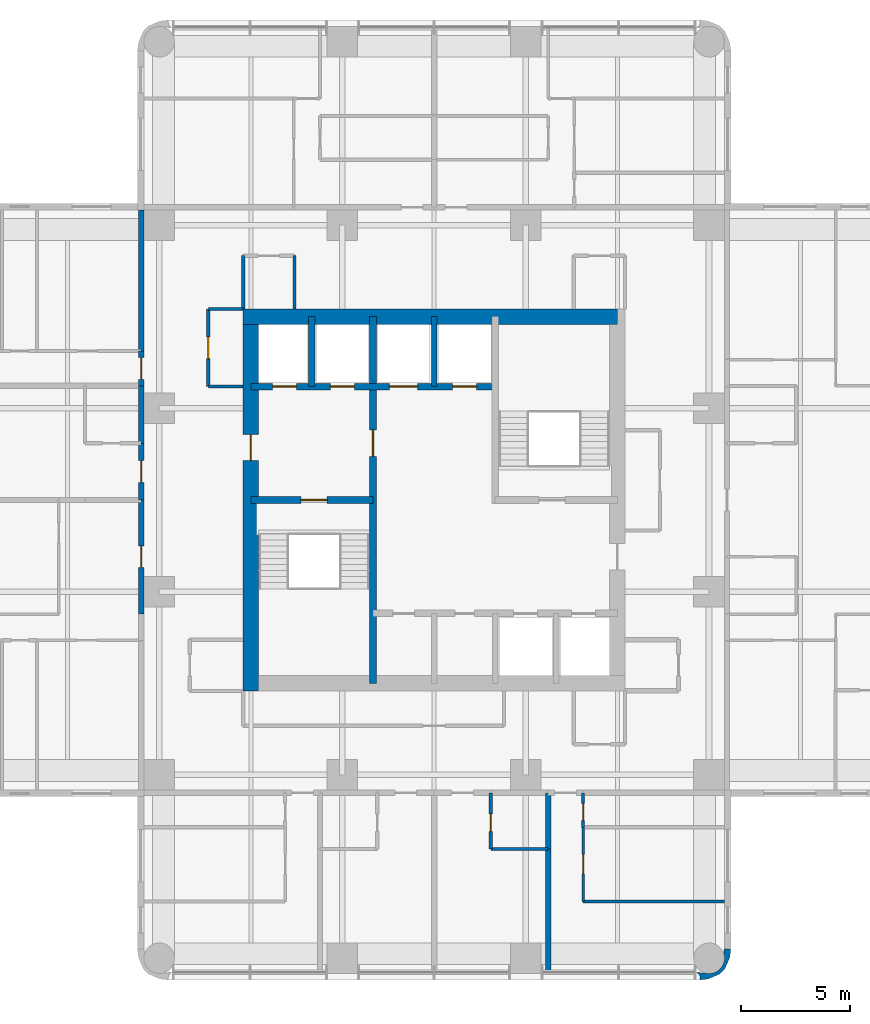
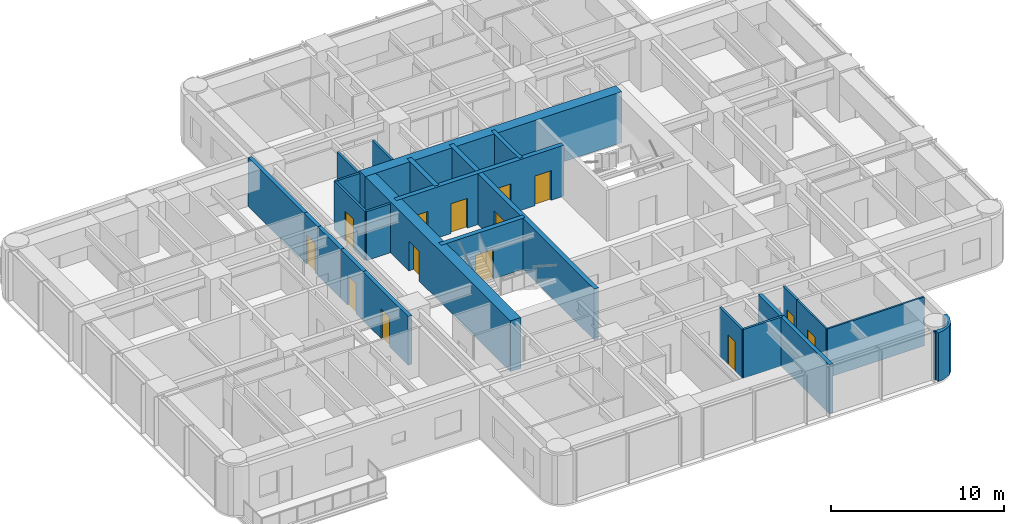
# One storey, part 6 of 11: 25 walls, 14 doors, 14 openings.
"""IFC4 building model written with IfcOpenShell, lengths in metres."""

import ifcopenshell
import ifcopenshell.guid

model = None  # the IFC model being written
_history = None  # IfcOwnerHistory: only IFC2X3 demands one
_inside = {}  # id of a spatial element -> (the spatial element, [elements in it])
_under = {}  # id of a project, library or spatial element -> (it, [spatial elements below it])
_declared = {}  # id of a project -> (the project, [libraries it declares])
_typed = {}  # id of a type object -> (the type object, [elements of that type])
_made_of = {}  # id of a material, layer set ... -> (it, [elements and type objects made of it])


def new_model(schema):
    """Start an empty IFC model of exactly this schema.

    Asked for "IFC4X3", IfcOpenShell would pick the latest addendum, in which some entities
    have other attributes; the version numbers below select the first issue.
    IFC2X3 requires an IfcOwnerHistory on every rooted entity: one is made here for all.
    """
    global model, _history
    if schema == "IFC4X3":
        model = ifcopenshell.file(schema_version=(4, 3, 0, 0))
    else:
        model = ifcopenshell.file(schema=schema)
    _inside.clear()
    _under.clear()
    _declared.clear()
    _typed.clear()
    _made_of.clear()
    _history = None
    if model.schema == "IFC2X3":
        org = make("IfcOrganization", Name="unknown")
        user = make(
            "IfcPersonAndOrganization",
            ThePerson=make("IfcPerson", FamilyName="unknown"),
            TheOrganization=org,
        )
        app = make(
            "IfcApplication",
            ApplicationDeveloper=org,
            Version="unknown",
            ApplicationFullName="unknown",
            ApplicationIdentifier="unknown",
        )
        _history = make(
            "IfcOwnerHistory",
            OwningUser=user,
            OwningApplication=app,
            ChangeAction="ADDED",
            CreationDate=0,
        )
    return model


def make(cls, **values):
    """One entity of the class cls with the attributes given. An attribute that is None is left unset."""
    return model.create_entity(
        cls, **{name: value for name, value in values.items() if value is not None}
    )


def rooted(cls, **values):
    """An entity with a GlobalId (a new one), such as an element, a storey or a relation."""
    return make(cls, GlobalId=ifcopenshell.guid.new(), OwnerHistory=_history, **values)


def si_unit(unit_type, name, prefix=None):
    """IfcSIUnit, for example si_unit("LENGTHUNIT", "METRE", prefix="MILLI")."""
    return make("IfcSIUnit", UnitType=unit_type, Prefix=prefix, Name=name)


def assignment(units):
    """IfcUnitAssignment: the units of a project."""
    return None if units is None else make("IfcUnitAssignment", Units=units)


def point(xyz):
    """IfcCartesianPoint."""
    return None if xyz is None else make("IfcCartesianPoint", Coordinates=xyz)


def direction(xyz):
    """IfcDirection."""
    return None if xyz is None else make("IfcDirection", DirectionRatios=xyz)


def frame(location, z_axis=None, x_axis=None):
    """IfcAxis2Placement3D, a coordinate frame: its origin and axes. An axis left out is left unset."""
    return make(
        "IfcAxis2Placement3D",
        Location=point(location),
        Axis=direction(z_axis),
        RefDirection=direction(x_axis),
    )


def frame_2d(location, x_axis=None):
    """IfcAxis2Placement2D, a coordinate frame in the plane: its origin and x axis."""
    return make(
        "IfcAxis2Placement2D", Location=point(location), RefDirection=direction(x_axis)
    )


def origin():
    """The frame at (0, 0, 0) with its axes left unset."""
    return frame((0.0, 0.0, 0.0))


def place(relative_to, where):
    """IfcLocalPlacement: puts the frame where relative to a parent placement (None: the world)."""
    return make(
        "IfcLocalPlacement", PlacementRelTo=relative_to, RelativePlacement=where
    )


def context(
    kind, dimensions, precision=None, world=None, true_north=None, identifier=None
):
    """IfcGeometricRepresentationContext, for example the 3D "Model" context."""
    return make(
        "IfcGeometricRepresentationContext",
        ContextIdentifier=identifier,
        ContextType=kind,
        CoordinateSpaceDimension=dimensions,
        Precision=precision,
        WorldCoordinateSystem=world,
        TrueNorth=true_north,
    )


def subcontext(parent, identifier, kind, view, scale=None):
    """IfcGeometricRepresentationSubContext, for example "Body" below "Model"."""
    return make(
        "IfcGeometricRepresentationSubContext",
        ContextIdentifier=identifier,
        ContextType=kind,
        ParentContext=parent,
        TargetScale=scale,
        TargetView=view,
    )


def project(units=None, contexts=None):
    """IfcProject with its units and contexts."""
    return rooted(
        "IfcProject",
        Name="project",
        RepresentationContexts=contexts,
        UnitsInContext=assignment(units),
    )


def spatial(cls, under=None, at=None, **own):
    """A site, building, storey or space (cls), placed at a placement, below another one or the project."""
    s = rooted(cls, ObjectPlacement=at, **own)
    if under is not None:
        _under.setdefault(under.id(), (under, []))[1].append(s)
    return s


def polyline(points):
    """IfcPolyline through the points."""
    return make("IfcPolyline", Points=[point(p) for p in points])


def profile(cls, at=None, kind="AREA", **sizes):
    """A parametric profile (cls). Its sizes go by their IFC names, for example OverallWidth=200.0."""
    return make(cls, ProfileType=kind, Position=at, **sizes)


def rectangle(**sizes):
    """IfcRectangleProfileDef."""
    return profile("IfcRectangleProfileDef", **sizes)


def outline(outer, holes=None, kind="AREA"):
    """IfcArbitraryClosedProfileDef: a profile drawn as a closed curve; with holes, ...WithVoids."""
    if holes is None:
        return make("IfcArbitraryClosedProfileDef", ProfileType=kind, OuterCurve=outer)
    return make(
        "IfcArbitraryProfileDefWithVoids",
        ProfileType=kind,
        OuterCurve=outer,
        InnerCurves=holes,
    )


def extrude(swept, where, along, depth):
    """IfcExtrudedAreaSolid: the profile swept, set in the frame where, extruded along a direction by depth."""
    return make(
        "IfcExtrudedAreaSolid",
        SweptArea=swept,
        Position=where,
        ExtrudedDirection=direction(along),
        Depth=depth,
    )


def shape(context_of_items, identifier, shape_type, items):
    """IfcShapeRepresentation: the items that make up one representation, for example the "Body"."""
    return make(
        "IfcShapeRepresentation",
        ContextOfItems=context_of_items,
        RepresentationIdentifier=identifier,
        RepresentationType=shape_type,
        Items=items,
    )


def material(Name=None, Category=None):
    """IfcMaterial."""
    return make("IfcMaterial", Name=Name, Category=Category)


def layer(
    of_material, thickness, ventilated=None, Name=None, Category=None, Priority=None
):
    """IfcMaterialLayer: one layer of a wall or slab, of a material (None: an air gap)."""
    return make(
        "IfcMaterialLayer",
        Material=of_material,
        LayerThickness=thickness,
        IsVentilated=ventilated,
        Name=Name,
        Category=Category,
        Priority=Priority,
    )


def layer_set(layers, Name=None):
    """IfcMaterialLayerSet."""
    return make("IfcMaterialLayerSet", MaterialLayers=layers, LayerSetName=Name)


def made_of(thing, what):
    """Note that an element or type object is made of a material, layer set ...; save() writes the relation."""
    if what is not None:
        _made_of.setdefault(what.id(), (what, []))[1].append(thing)
    return thing


def type_object(cls, material=None, **own):
    """A type object (cls), such as IfcWallType, which elements share."""
    return made_of(rooted(cls, **own), material)


def element(
    cls,
    number,
    at=None,
    inside=None,
    cuts=None,
    type_object=None,
    material=None,
    context=None,
    identifier="Body",
    shape_type=None,
    held_by="IfcProductDefinitionShape",
    body=None,
    shapes=None,
    **own,
):
    """One element of the class cls, such as IfcWall. Its Tag is "e" and its number.

    at: its placement. inside: the storey or other place that contains it. cuts: it is an
    opening in that element (IfcRelVoidsElement). A single representation is given by context,
    identifier, shape_type and body (its items); several are given by shapes. held_by: the class
    of the entity that holds the representations. save() writes the other relations.
    """
    e = rooted(cls, Tag="e%d" % number, ObjectPlacement=at, **own)
    if body is not None:
        shapes = [shape(context, identifier, shape_type, body)]
    if shapes is not None:
        e.Representation = make(held_by, Representations=shapes)
    if inside is not None:
        _inside.setdefault(inside.id(), (inside, []))[1].append(e)
    if cuts is not None:
        rooted(
            "IfcRelVoidsElement", RelatingBuildingElement=cuts, RelatedOpeningElement=e
        )
    if type_object is not None:
        _typed.setdefault(type_object.id(), (type_object, []))[1].append(e)
    return made_of(e, material)


def fill(opening, filler):
    """IfcRelFillsElement: the door or window that sits in an opening."""
    return rooted(
        "IfcRelFillsElement",
        RelatingOpeningElement=opening,
        RelatedBuildingElement=filler,
    )


def aggregate(whole, parts):
    """IfcRelAggregates: a whole, such as a stair, and the parts it consists of."""
    return rooted("IfcRelAggregates", RelatingObject=whole, RelatedObjects=parts)


def save(model, path):
    """Write the relations noted so far, then the file.

    IfcRelAggregates (storeys below a building ...), IfcRelContainedInSpatialStructure (elements
    in a storey), IfcRelDefinesByType, IfcRelAssociatesMaterial and IfcRelDeclares: one each for
    every whole, place, type object, material and project.
    """
    for whole, parts in _under.values():
        aggregate(whole, parts)
    for where, things in _inside.values():
        rooted(
            "IfcRelContainedInSpatialStructure",
            RelatedElements=things,
            RelatingStructure=where,
        )
    for kind, things in _typed.values():
        rooted("IfcRelDefinesByType", RelatedObjects=things, RelatingType=kind)
    for what, things in _made_of.values():
        rooted("IfcRelAssociatesMaterial", RelatedObjects=things, RelatingMaterial=what)
    for by, libraries in _declared.values():
        rooted("IfcRelDeclares", RelatingContext=by, RelatedDefinitions=libraries)
    model.write(path)


model = new_model("IFC4")

# Units and contexts
model_context = context("Model", 3, precision=1e-05, world=origin(), true_north=direction((0.0, 1.0)))
body_context = subcontext(model_context, "Body", "Model", "MODEL_VIEW")
ifc_project = project(units=[si_unit("LENGTHUNIT", "METRE"), si_unit("AREAUNIT", "SQUARE_METRE"), si_unit("VOLUMEUNIT", "CUBIC_METRE"), si_unit("PLANEANGLEUNIT", "RADIAN"), si_unit("MASSUNIT", "GRAM", prefix="KILO")], contexts=[model_context])

# Site, building, storey
site_placement = place(None, origin())
site = spatial("IfcSite", under=ifc_project, at=site_placement, CompositionType="ELEMENT")
building_placement = place(site_placement, origin())
building = spatial("IfcBuilding", under=site, at=building_placement, Name="Torre Alcanfor", CompositionType="ELEMENT")
storey_placement = place(building_placement, frame((0.0, 0.0, 237.300048828125)))
storey = spatial("IfcBuildingStorey", under=building, at=storey_placement, Name="L62", CompositionType="ELEMENT", Elevation=237.300048828125)

# Wall, opening, door
ifc_material_1 = material(Name="Concrete block masonry, hollow blocks NMX-C-404 9 MPa", Category="masonry")
ifc_layer_1 = layer(ifc_material_1, 0.25)
ifc_layer_set_1 = layer_set([ifc_layer_1], Name="Apartment entrance wall 250 EI 60")
wall_type_1 = type_object("IfcWallType", Name="Apartment entrance wall 250 EI 60", PredefinedType="PARTITIONING", material=ifc_layer_set_1)
wall_1_placement = place(storey_placement, frame((15.97509765625, 24.1708984375, 0.0), z_axis=(0.0, 0.0, 1.0), x_axis=(0.0, 1.0, 0.0)))
wall_1 = element("IfcWall", 1, at=wall_1_placement, inside=storey, type_object=wall_type_1, Name="Partition L62-CORR / L62-W1-ZAG", PredefinedType="PARTITIONING", context=body_context, shape_type="SweptSolid", body=[
    extrude(rectangle(XDim=5.22900390625, YDim=0.25, at=frame_2d((2.614501953125, 0.0))), origin(), (0.0, 0.0, 1.0), 3.449951171875),
])
opening_1_placement = place(wall_1_placement, frame((2.12890625, 0.0, 0.0)))
opening_1 = element("IfcOpeningElement", 2, at=opening_1_placement, cuts=wall_1, Name="Opening D-A1", PredefinedType="OPENING", context=body_context, shape_type="SweptSolid", body=[
    extrude(rectangle(XDim=1.0, YDim=2.10009765625, at=frame_2d((0.5, 1.050048828125))), frame((0.0, 0.135009765625, 0.0), z_axis=(0.0, -1.0, 0.0), x_axis=(1.0, 0.0, 0.0)), (0.0, 0.0, 1.0), 0.27001953125),
])
ifc_material_2 = material(Name="Galvanised steel sheet ASTM A653", Category="steel")
door_type_1 = type_object("IfcDoorType", Name="Apartment entrance door FD60 1000x2100", OperationType="SINGLE_SWING_LEFT", PredefinedType="DOOR", material=ifc_material_2)
door_1_placement = place(opening_1_placement, origin())
door_1 = element("IfcDoor", 3, at=door_1_placement, inside=storey, type_object=door_type_1, Name="Apartment entrance L62-W1", OperationType="SINGLE_SWING_RIGHT", OverallHeight=2.10009765625, OverallWidth=1.0, PredefinedType="DOOR", context=body_context, shape_type="SweptSolid", body=[
    extrude(rectangle(XDim=1.0, YDim=2.10009765625, at=frame_2d((0.5, 1.050048828125))), frame((0.0, 0.02490234375, 0.0), z_axis=(0.0, -1.0, 0.0), x_axis=(1.0, 0.0, 0.0)), (0.0, 0.0, 1.0), 0.050048828125),
])
fill(opening_1, door_1)

wall_2_placement = place(storey_placement, frame((15.97509765625, 29.39990234375, 0.0), z_axis=(0.0, 0.0, 1.0), x_axis=(0.0, 1.0, 0.0)))
wall_2 = element("IfcWall", 4, at=wall_2_placement, inside=storey, type_object=wall_type_1, Name="Partition L62-CORR / L62-W2A-FOYER", PredefinedType="PARTITIONING", context=body_context, shape_type="SweptSolid", body=[
    extrude(rectangle(XDim=2.60009765625, YDim=0.25, at=frame_2d((1.300048828125, 0.0))), origin(), (0.0, 0.0, 1.0), 3.449951171875),
])
opening_2_placement = place(wall_2_placement, frame((0.800048828125, 0.0, 0.0)))
opening_2 = element("IfcOpeningElement", 5, at=opening_2_placement, cuts=wall_2, Name="Opening D-A1", PredefinedType="OPENING", context=body_context, shape_type="SweptSolid", body=[
    extrude(rectangle(XDim=1.0, YDim=2.10009765625, at=frame_2d((0.5, 1.050048828125))), frame((0.0, 0.135009765625, 0.0), z_axis=(0.0, -1.0, 0.0), x_axis=(1.0, 0.0, 0.0)), (0.0, 0.0, 1.0), 0.27001953125),
])
door_2_placement = place(opening_2_placement, origin())
door_2 = element("IfcDoor", 6, at=door_2_placement, inside=storey, type_object=door_type_1, Name="Apartment entrance L62-W2A", OperationType="SINGLE_SWING_LEFT", OverallHeight=2.10009765625, OverallWidth=1.0, PredefinedType="DOOR", context=body_context, shape_type="SweptSolid", body=[
    extrude(rectangle(XDim=1.0, YDim=2.10009765625, at=frame_2d((0.5, 1.050048828125))), frame((0.0, 0.02490234375, 0.0), z_axis=(0.0, -1.0, 0.0), x_axis=(1.0, 0.0, 0.0)), (0.0, 0.0, 1.0), 0.050048828125),
])
fill(opening_2, door_2)

# Wall
wall_3_placement = place(storey_placement, frame((15.97509765625, 32.0, 0.0), z_axis=(0.0, 0.0, 1.0), x_axis=(0.0, 1.0, 0.0)))
element("IfcWall", 7, at=wall_3_placement, inside=storey, type_object=wall_type_1, Name="Partition L62-CORR / L62-W2A-BATH", PredefinedType="PARTITIONING", context=body_context, shape_type="SweptSolid", body=[
    extrude(rectangle(XDim=2.62890625, YDim=0.25, at=frame_2d((1.314453125, 0.0))), origin(), (0.0, 0.0, 1.0), 3.449951171875),
])

# Wall, opening, door
wall_4_placement = place(storey_placement, frame((15.97509765625, 34.62890625, 0.0), z_axis=(0.0, 0.0, 1.0), x_axis=(0.0, 1.0, 0.0)))
wall_4 = element("IfcWall", 8, at=wall_4_placement, inside=storey, type_object=wall_type_1, Name="Partition L62-CORR / L62-W2B-HALL", PredefinedType="PARTITIONING", context=body_context, shape_type="SweptSolid", body=[
    extrude(rectangle(XDim=1.60009765625, YDim=0.25, at=frame_2d((0.800048828125, 0.0))), origin(), (0.0, 0.0, 1.0), 3.449951171875),
])
opening_3_placement = place(wall_4_placement, frame((0.300048828125, 0.0, 0.0)))
opening_3 = element("IfcOpeningElement", 9, at=opening_3_placement, cuts=wall_4, Name="Opening D-A1", PredefinedType="OPENING", context=body_context, shape_type="SweptSolid", body=[
    extrude(rectangle(XDim=1.0, YDim=2.10009765625, at=frame_2d((0.5, 1.050048828125))), frame((0.0, 0.135009765625, 0.0), z_axis=(0.0, -1.0, 0.0), x_axis=(1.0, 0.0, 0.0)), (0.0, 0.0, 1.0), 0.27001953125),
])
door_3_placement = place(opening_3_placement, origin())
door_3 = element("IfcDoor", 10, at=door_3_placement, inside=storey, type_object=door_type_1, Name="Apartment entrance L62-W2B", OperationType="SINGLE_SWING_LEFT", OverallHeight=2.10009765625, OverallWidth=1.0, PredefinedType="DOOR", context=body_context, shape_type="SweptSolid", body=[
    extrude(rectangle(XDim=1.0, YDim=2.10009765625, at=frame_2d((0.5, 1.050048828125))), frame((0.0, 0.02490234375, 0.0), z_axis=(0.0, -1.0, 0.0), x_axis=(1.0, 0.0, 0.0)), (0.0, 0.0, 1.0), 0.050048828125),
])
fill(opening_3, door_3)

# Wall
wall_5_placement = place(storey_placement, frame((15.97509765625, 36.22900390625, 0.0), z_axis=(0.0, 0.0, 1.0), x_axis=(0.0, 1.0, 0.0)))
element("IfcWall", 11, at=wall_5_placement, inside=storey, type_object=wall_type_1, Name="Partition L62-CORR / L62-W2B-MASTER", PredefinedType="PARTITIONING", context=body_context, shape_type="SweptSolid", body=[
    extrude(rectangle(XDim=6.470947265625, YDim=0.25, at=frame_2d((3.2353515625, 0.0))), origin(), (0.0, 0.0, 1.0), 3.449951171875),
])

# Wall, opening, door
ifc_material_3 = material(Name="Gypsum board on steel studs", Category="steel")
ifc_layer_2 = layer(ifc_material_3, 0.1201171875)
ifc_layer_set_2 = layer_set([ifc_layer_2], Name="Apartment partition 120")
wall_type_2 = type_object("IfcWallType", Name="Apartment partition 120", PredefinedType="PARTITIONING", material=ifc_layer_set_2)
wall_6_placement = place(storey_placement, frame((36.22900390625, 14.39990234375, 0.0), z_axis=(0.0, 0.0, 1.0), x_axis=(0.0, -1.0, 0.0)))
wall_6 = element("IfcWall", 12, at=wall_6_placement, inside=storey, type_object=wall_type_2, Name="Partition L62-S1B-LIVING / L62-S1B-MASTER", PredefinedType="PARTITIONING", context=body_context, shape_type="SweptSolid", body=[
    extrude(rectangle(XDim=3.39990234375, YDim=0.1201171875, at=frame_2d((1.699951171875, 0.0))), origin(), (0.0, 0.0, 1.0), 3.449951171875),
])
opening_4_placement = place(wall_6_placement, frame((1.25, 0.0, 0.0)))
opening_4 = element("IfcOpeningElement", 13, at=opening_4_placement, cuts=wall_6, Name="Opening D-R1", PredefinedType="OPENING", context=body_context, shape_type="SweptSolid", body=[
    extrude(rectangle(XDim=0.89990234375, YDim=2.10009765625, at=frame_2d((0.449951171875, 1.050048828125))), frame((0.0, 0.070068359375, 0.0), z_axis=(0.0, -1.0, 0.0), x_axis=(1.0, 0.0, 0.0)), (0.0, 0.0, 1.0), 0.14013671875),
])
ifc_material_4 = material(Name="Timber", Category="wood")
door_type_2 = type_object("IfcDoorType", Name="Internal door 900x2100", OperationType="SINGLE_SWING_LEFT", PredefinedType="DOOR", material=ifc_material_4)
door_4_placement = place(opening_4_placement, origin())
door_4 = element("IfcDoor", 14, at=door_4_placement, inside=storey, type_object=door_type_2, Name="Door L62-S1B master", OperationType="SINGLE_SWING_LEFT", OverallHeight=2.10009765625, OverallWidth=0.89990234375, PredefinedType="DOOR", context=body_context, shape_type="SweptSolid", body=[
    extrude(rectangle(XDim=0.89990234375, YDim=2.10009765625, at=frame_2d((0.449951171875, 1.050048828125))), frame((0.0, 0.02490234375, 0.0), z_axis=(0.0, -1.0, 0.0), x_axis=(1.0, 0.0, 0.0)), (0.0, 0.0, 1.0), 0.050048828125),
])
fill(opening_4, door_4)

# Wall
wall_7_placement = place(storey_placement, frame((36.22900390625, 11.0, 0.0), z_axis=(0.0, 0.0, 1.0), x_axis=(1.0, 0.0, 0.0)))
element("IfcWall", 15, at=wall_7_placement, inside=storey, type_object=wall_type_2, Name="Partition L62-S1B-LIVING / L62-S1B-MASTER", PredefinedType="PARTITIONING", context=body_context, shape_type="SweptSolid", body=[
    extrude(rectangle(XDim=6.470947265625, YDim=0.1201171875, at=frame_2d((3.2353515625, 0.0))), origin(), (0.0, 0.0, 1.0), 3.449951171875),
])

# Wall, opening, door
ifc_material_5 = material(Name="Concrete f'c 70 MPa", Category="concrete")
ifc_layer_3 = layer(ifc_material_5, 0.300048828125)
ifc_layer_set_3 = layer_set([ifc_layer_3], Name="Core inner wall 300 f'c70")
wall_type_3 = type_object("IfcWallType", Name="Core inner wall 300 f'c70", PredefinedType="SHEAR", material=ifc_layer_set_3)
wall_8_placement = place(storey_placement, frame((26.60009765625, 21.0, 0.0), z_axis=(0.0, 0.0, 1.0), x_axis=(0.0, 1.0, 0.0)))
wall_8 = element("IfcWall", 16, at=wall_8_placement, inside=storey, type_object=wall_type_3, Name="Core wall X266 L62", PredefinedType="SHEAR", context=body_context, shape_type="SweptSolid", body=[
    extrude(rectangle(XDim=16.800048828125, YDim=0.300048828125, at=frame_2d((8.39990234375, 0.0))), origin(), (0.0, 0.0, 1.0), 3.599853515625),
])
opening_5_placement = place(wall_8_placement, frame((10.39990234375, 0.0, 0.0)))
opening_5 = element("IfcOpeningElement", 17, at=opening_5_placement, cuts=wall_8, Name="Opening D-L1", PredefinedType="OPENING", context=body_context, shape_type="SweptSolid", body=[
    extrude(rectangle(XDim=1.199951171875, YDim=2.10009765625, at=frame_2d((0.60009765625, 1.050048828125))), frame((0.0, 0.159912109375, 0.0), z_axis=(0.0, -1.0, 0.0), x_axis=(1.0, 0.0, 0.0)), (0.0, 0.0, 1.0), 0.320068359375),
])
ifc_material_6 = material(Name="Galvanised steel sheet ASTM A653", Category="steel")
door_type_3 = type_object("IfcDoorType", Name="Lobby door FD120 1200x2100", OperationType="SINGLE_SWING_LEFT", PredefinedType="DOOR", material=ifc_material_6)
door_5_placement = place(opening_5_placement, origin())
door_5 = element("IfcDoor", 18, at=door_5_placement, inside=storey, type_object=door_type_3, Name="Lift lobby door L62", OperationType="SINGLE_SWING_LEFT", OverallHeight=2.10009765625, OverallWidth=1.199951171875, PredefinedType="DOOR", context=body_context, shape_type="SweptSolid", body=[
    extrude(rectangle(XDim=1.199951171875, YDim=2.10009765625, at=frame_2d((0.60009765625, 1.050048828125))), frame((0.0, 0.02490234375, 0.0), z_axis=(0.0, -1.0, 0.0), x_axis=(1.0, 0.0, 0.0)), (0.0, 0.0, 1.0), 0.050048828125),
])
fill(opening_5, door_5)

wall_9_placement = place(storey_placement, frame((21.0, 29.39990234375, 0.0), z_axis=(0.0, 0.0, 1.0), x_axis=(1.0, 0.0, 0.0)))
wall_9 = element("IfcWall", 19, at=wall_9_placement, inside=storey, type_object=wall_type_3, Name="Core wall Y294W L62", PredefinedType="SHEAR", context=body_context, shape_type="SweptSolid", body=[
    extrude(rectangle(XDim=5.60009765625, YDim=0.300048828125, at=frame_2d((2.800048828125, 0.0))), origin(), (0.0, 0.0, 1.0), 3.599853515625),
])
opening_6_placement = place(wall_9_placement, frame((2.300048828125, 0.0, 0.0)))
opening_6 = element("IfcOpeningElement", 20, at=opening_6_placement, cuts=wall_9, Name="Opening D-S2", PredefinedType="OPENING", context=body_context, shape_type="SweptSolid", body=[
    extrude(rectangle(XDim=1.199951171875, YDim=2.10009765625, at=frame_2d((0.60009765625, 1.050048828125))), frame((0.0, 0.159912109375, 0.0), z_axis=(0.0, -1.0, 0.0), x_axis=(1.0, 0.0, 0.0)), (0.0, 0.0, 1.0), 0.320068359375),
])
ifc_material_7 = material(Name="Galvanised steel sheet ASTM A653", Category="steel")
door_type_4 = type_object("IfcDoorType", Name="Stair enclosure door FD120 1200x2100", OperationType="SINGLE_SWING_LEFT", PredefinedType="DOOR", material=ifc_material_7)
door_6_placement = place(opening_6_placement, frame((1.199951171875, 0.0, 0.0), z_axis=(0.0, 0.0, 1.0), x_axis=(-1.0, 0.0, 0.0)))
door_6 = element("IfcDoor", 21, at=door_6_placement, inside=storey, type_object=door_type_4, Name="Stair S1 door L62", OperationType="SINGLE_SWING_LEFT", OverallHeight=2.10009765625, OverallWidth=1.199951171875, PredefinedType="DOOR", context=body_context, shape_type="SweptSolid", body=[
    extrude(rectangle(XDim=1.199951171875, YDim=2.10009765625, at=frame_2d((0.599853515625, 1.050048828125))), frame((0.0, 0.025146484375, 0.0), z_axis=(0.0, -1.0, 0.0), x_axis=(1.0, 0.0, 0.0)), (0.0, 0.0, 1.0), 0.050048828125),
])
fill(opening_6, door_6)

# Wall, openings, doors
wall_10_placement = place(storey_placement, frame((21.0, 34.60009765625, 0.0), z_axis=(0.0, 0.0, 1.0), x_axis=(1.0, 0.0, 0.0)))
wall_10 = element("IfcWall", 22, at=wall_10_placement, inside=storey, type_object=wall_type_3, Name="Core wall Y346 L62", PredefinedType="SHEAR", context=body_context, shape_type="SweptSolid", body=[
    extrude(rectangle(XDim=11.199951171875, YDim=0.300048828125, at=frame_2d((5.60009765625, 0.0))), origin(), (0.0, 0.0, 1.0), 3.599853515625),
])
opening_7_placement = place(wall_10_placement, frame((9.25, 0.0, 0.0)))
opening_7 = element("IfcOpeningElement", 23, at=opening_7_placement, cuts=wall_10, Name="Opening LD1", PredefinedType="OPENING", context=body_context, shape_type="SweptSolid", body=[
    extrude(rectangle(XDim=1.10009765625, YDim=2.10009765625, at=frame_2d((0.550048828125, 1.050048828125))), frame((0.0, 0.159912109375, 0.0), z_axis=(0.0, -1.0, 0.0), x_axis=(1.0, 0.0, 0.0)), (0.0, 0.0, 1.0), 0.320068359375),
])
opening_8_placement = place(wall_10_placement, frame((1.0, 0.0, 0.0)))
opening_8 = element("IfcOpeningElement", 24, at=opening_8_placement, cuts=wall_10, Name="Opening LD2", PredefinedType="OPENING", context=body_context, shape_type="SweptSolid", body=[
    extrude(rectangle(XDim=1.10009765625, YDim=2.10009765625, at=frame_2d((0.550048828125, 1.050048828125))), frame((0.0, 0.159912109375, 0.0), z_axis=(0.0, -1.0, 0.0), x_axis=(1.0, 0.0, 0.0)), (0.0, 0.0, 1.0), 0.320068359375),
])
opening_9_placement = place(wall_10_placement, frame((3.64990234375, 0.0, 0.0)))
opening_9 = element("IfcOpeningElement", 25, at=opening_9_placement, cuts=wall_10, Name="Opening LD2", PredefinedType="OPENING", context=body_context, shape_type="SweptSolid", body=[
    extrude(rectangle(XDim=1.10009765625, YDim=2.10009765625, at=frame_2d((0.550048828125, 1.050048828125))), frame((0.0, 0.159912109375, 0.0), z_axis=(0.0, -1.0, 0.0), x_axis=(1.0, 0.0, 0.0)), (0.0, 0.0, 1.0), 0.320068359375),
])
opening_10_placement = place(wall_10_placement, frame((6.35009765625, 0.0, 0.0)))
opening_10 = element("IfcOpeningElement", 26, at=opening_10_placement, cuts=wall_10, Name="Opening LD3", PredefinedType="OPENING", context=body_context, shape_type="SweptSolid", body=[
    extrude(rectangle(XDim=1.300048828125, YDim=2.10009765625, at=frame_2d((0.64990234375, 1.050048828125))), frame((0.0, 0.159912109375, 0.0), z_axis=(0.0, -1.0, 0.0), x_axis=(1.0, 0.0, 0.0)), (0.0, 0.0, 1.0), 0.320068359375),
])
ifc_material_8 = material(Name="Galvanised steel sheet ASTM A653", Category="steel")
door_type_5 = type_object("IfcDoorType", Name="Firefighting lift landing door 1100x2100", OperationType="DOUBLE_DOOR_SLIDING", PredefinedType="DOOR", material=ifc_material_8)
door_7_placement = place(opening_8_placement, origin())
door_7 = element("IfcDoor", 27, at=door_7_placement, inside=storey, type_object=door_type_5, Name="Lift landing door FL1 L62", OperationType="DOUBLE_DOOR_SLIDING", OverallHeight=2.10009765625, OverallWidth=1.10009765625, PredefinedType="DOOR", context=body_context, shape_type="SweptSolid", body=[
    extrude(rectangle(XDim=1.10009765625, YDim=2.10009765625, at=frame_2d((0.550048828125, 1.050048828125))), frame((0.0, 0.02490234375, 0.0), z_axis=(0.0, -1.0, 0.0), x_axis=(1.0, 0.0, 0.0)), (0.0, 0.0, 1.0), 0.050048828125),
])
fill(opening_8, door_7)
door_8_placement = place(opening_9_placement, origin())
door_8 = element("IfcDoor", 28, at=door_8_placement, inside=storey, type_object=door_type_5, Name="Lift landing door FL2 L62", OperationType="DOUBLE_DOOR_SLIDING", OverallHeight=2.10009765625, OverallWidth=1.10009765625, PredefinedType="DOOR", context=body_context, shape_type="SweptSolid", body=[
    extrude(rectangle(XDim=1.10009765625, YDim=2.10009765625, at=frame_2d((0.550048828125, 1.050048828125))), frame((0.0, 0.02490234375, 0.0), z_axis=(0.0, -1.0, 0.0), x_axis=(1.0, 0.0, 0.0)), (0.0, 0.0, 1.0), 0.050048828125),
])
fill(opening_9, door_8)
ifc_material_9 = material(Name="Galvanised steel sheet ASTM A653", Category="steel")
door_type_6 = type_object("IfcDoorType", Name="Lift landing door 1100x2100", OperationType="DOUBLE_DOOR_SLIDING", PredefinedType="DOOR", material=ifc_material_9)
door_9_placement = place(opening_7_placement, origin())
door_9 = element("IfcDoor", 29, at=door_9_placement, inside=storey, type_object=door_type_6, Name="Lift landing door PA5 L62", OperationType="DOUBLE_DOOR_SLIDING", OverallHeight=2.10009765625, OverallWidth=1.10009765625, PredefinedType="DOOR", context=body_context, shape_type="SweptSolid", body=[
    extrude(rectangle(XDim=1.10009765625, YDim=2.10009765625, at=frame_2d((0.550048828125, 1.050048828125))), frame((0.0, 0.02490234375, 0.0), z_axis=(0.0, -1.0, 0.0), x_axis=(1.0, 0.0, 0.0)), (0.0, 0.0, 1.0), 0.050048828125),
])
fill(opening_7, door_9)
ifc_material_10 = material(Name="Galvanised steel sheet ASTM A653", Category="steel")
door_type_7 = type_object("IfcDoorType", Name="Service lift landing door 1300x2100", OperationType="DOUBLE_DOOR_SLIDING", PredefinedType="DOOR", material=ifc_material_10)
door_10_placement = place(opening_10_placement, origin())
door_10 = element("IfcDoor", 30, at=door_10_placement, inside=storey, type_object=door_type_7, Name="Lift landing door SL1 L62", OperationType="DOUBLE_DOOR_SLIDING", OverallHeight=2.10009765625, OverallWidth=1.300048828125, PredefinedType="DOOR", context=body_context, shape_type="SweptSolid", body=[
    extrude(rectangle(XDim=1.300048828125, YDim=2.10009765625, at=frame_2d((0.64990234375, 1.050048828125))), frame((0.0, 0.02490234375, 0.0), z_axis=(0.0, -1.0, 0.0), x_axis=(1.0, 0.0, 0.0)), (0.0, 0.0, 1.0), 0.050048828125),
])
fill(opening_10, door_10)

# Walls
wall_11_placement = place(storey_placement, frame((23.800048828125, 34.60009765625, 0.0), z_axis=(0.0, 0.0, 1.0), x_axis=(0.0, 1.0, 0.0)))
element("IfcWall", 31, at=wall_11_placement, inside=storey, type_object=wall_type_3, Name="Core wall X238 L62", PredefinedType="SHEAR", context=body_context, shape_type="SweptSolid", body=[
    extrude(rectangle(XDim=3.199951171875, YDim=0.300048828125, at=frame_2d((1.60009765625, 0.0))), origin(), (0.0, 0.0, 1.0), 3.599853515625),
])
ifc_material_11 = material(Name="Concrete f'c 70 MPa", Category="concrete")
ifc_layer_4 = layer(ifc_material_11, 0.25)
ifc_layer_set_4 = layer_set([ifc_layer_4], Name="Core shaft wall 250 f'c70")
wall_type_4 = type_object("IfcWallType", Name="Core shaft wall 250 f'c70", PredefinedType="SHEAR", material=ifc_layer_set_4)
wall_12_placement = place(storey_placement, frame((29.39990234375, 34.60009765625, 0.0), z_axis=(0.0, 0.0, 1.0), x_axis=(0.0, 1.0, 0.0)))
element("IfcWall", 32, at=wall_12_placement, inside=storey, type_object=wall_type_4, Name="Core wall X294N L62", PredefinedType="SHEAR", context=body_context, shape_type="SweptSolid", body=[
    extrude(rectangle(XDim=3.199951171875, YDim=0.25, at=frame_2d((1.60009765625, 0.0))), origin(), (0.0, 0.0, 1.0), 3.599853515625),
])
ifc_material_12 = material(Name="Concrete f'c 70 MPa", Category="concrete")
ifc_layer_5 = layer(ifc_material_12, 0.699951171875)
ifc_layer_set_5 = layer_set([ifc_layer_5], Name="Core wall 700 f'c70")
wall_type_5 = type_object("IfcWallType", Name="Core wall 700 f'c70", PredefinedType="SHEAR", material=ifc_layer_set_5)
wall_13_placement = place(storey_placement, frame((37.800048828125, 37.800048828125, 0.0), z_axis=(0.0, 0.0, 1.0), x_axis=(-1.0, 0.0, 0.0)))
element("IfcWall", 33, at=wall_13_placement, inside=storey, type_object=wall_type_5, Name="Core wall OUT-N L62", PredefinedType="SHEAR", context=body_context, shape_type="SweptSolid", body=[
    extrude(rectangle(XDim=17.150146484375, YDim=0.699951171875, at=frame_2d((8.5751953125, 0.0))), origin(), (0.0, 0.0, 1.0), 3.599853515625),
])

# Wall, opening, door
wall_14_placement = place(storey_placement, frame((21.0, 37.800048828125, 0.0), z_axis=(0.0, 0.0, 1.0), x_axis=(0.0, -1.0, 0.0)))
wall_14 = element("IfcWall", 34, at=wall_14_placement, inside=storey, type_object=wall_type_5, Name="Core wall OUT-W L62", PredefinedType="SHEAR", context=body_context, shape_type="SweptSolid", body=[
    extrude(rectangle(XDim=17.150146484375, YDim=0.699951171875, at=frame_2d((8.5751953125, 0.0))), origin(), (0.0, 0.0, 1.0), 3.599853515625),
])
opening_11_placement = place(wall_14_placement, frame((5.39990234375, 0.0, 0.0)))
opening_11 = element("IfcOpeningElement", 35, at=opening_11_placement, cuts=wall_14, Name="Opening D-L1", PredefinedType="OPENING", context=body_context, shape_type="SweptSolid", body=[
    extrude(rectangle(XDim=1.199951171875, YDim=2.10009765625, at=frame_2d((0.60009765625, 1.050048828125))), frame((0.0, 0.35986328125, 0.0), z_axis=(0.0, -1.0, 0.0), x_axis=(1.0, 0.0, 0.0)), (0.0, 0.0, 1.0), 0.719970703125),
])
door_11_placement = place(opening_11_placement, origin())
door_11 = element("IfcDoor", 36, at=door_11_placement, inside=storey, type_object=door_type_3, Name="Firefighting lobby door L62", OperationType="SINGLE_SWING_LEFT", OverallHeight=2.10009765625, OverallWidth=1.199951171875, PredefinedType="DOOR", context=body_context, shape_type="SweptSolid", body=[
    extrude(rectangle(XDim=1.199951171875, YDim=2.10009765625, at=frame_2d((0.60009765625, 1.050048828125))), frame((0.0, 0.02490234375, 0.0), z_axis=(0.0, -1.0, 0.0), x_axis=(1.0, 0.0, 0.0)), (0.0, 0.0, 1.0), 0.050048828125),
])
fill(opening_11, door_11)

# Walls
ifc_material_13 = material(Name="Concrete block masonry, hollow blocks NMX-C-404 9 MPa", Category="masonry")
ifc_layer_6 = layer(ifc_material_13, 0.25)
ifc_layer_set_6 = layer_set([ifc_layer_6], Name="Party wall 250 EI 60")
wall_type_6 = type_object("IfcWallType", Name="Party wall 250 EI 60", PredefinedType="PARTITIONING", material=ifc_layer_set_6)
wall_15_placement = place(storey_placement, frame((34.62890625, 13.39990234375, 0.0), z_axis=(0.0, 0.0, 1.0), x_axis=(0.0, -1.0, 0.0)))
element("IfcWall", 37, at=wall_15_placement, inside=storey, type_object=wall_type_6, Name="Partition L62-S1A-STUDIO / L62-S1B-LIVING", PredefinedType="PARTITIONING", context=body_context, shape_type="SweptSolid", body=[
    extrude(rectangle(XDim=5.64990234375, YDim=0.25, at=frame_2d((2.824951171875, 0.0))), origin(), (0.0, 0.0, 1.0), 3.449951171875),
])
wall_16_placement = place(storey_placement, frame((34.62890625, 13.39990234375, 0.0), z_axis=(0.0, 0.0, 1.0), x_axis=(0.0, 1.0, 0.0)))
element("IfcWall", 38, at=wall_16_placement, inside=storey, type_object=wall_type_6, Name="Partition L62-S1A-BATH / L62-S1B-LIVING", PredefinedType="PARTITIONING", context=body_context, shape_type="SweptSolid", body=[
    extrude(rectangle(XDim=2.5751953125, YDim=0.25, at=frame_2d((1.28759765625, 0.0))), origin(), (0.0, 0.0, 1.0), 3.449951171875),
])
ifc_material_14 = material(Name="Concrete block masonry, hollow blocks NMX-C-404 9 MPa", Category="masonry")
ifc_layer_7 = layer(ifc_material_14, 0.14990234375)
ifc_layer_set_7 = layer_set([ifc_layer_7], Name="Residents' room partition 150")
wall_type_7 = type_object("IfcWallType", Name="Residents' room partition 150", PredefinedType="PARTITIONING", material=ifc_layer_set_7)
for number, where, z_axis, x_axis, name in (
    (39, (23.0, 38.14990234375, 0.0), (0.0, 0.0, 1.0), (0.0, 1.0, 0.0), "Partition L62-CORR / L62-G01"),
    (40, (20.64990234375, 40.60009765625, 0.0), (0.0, 0.0, 1.0), (0.0, -1.0, 0.0), "Partition L62-CORR / L62-G01"),
):
    element("IfcWall", number, at=place(storey_placement, frame(where, z_axis=z_axis, x_axis=x_axis)), inside=storey, type_object=wall_type_7, Name=name, PredefinedType="PARTITIONING", context=body_context, shape_type="SweptSolid", body=[
        extrude(rectangle(XDim=2.4501953125, YDim=0.14990234375, at=frame_2d((1.22509765625, 0.0))), origin(), (0.0, 0.0, 1.0), 3.449951171875),
    ])
wall_17_placement = place(storey_placement, frame((20.64990234375, 38.14990234375, 0.0), z_axis=(0.0, 0.0, 1.0), x_axis=(-1.0, 0.0, 0.0)))
element("IfcWall", 41, at=wall_17_placement, inside=storey, type_object=wall_type_7, Name="Partition L62-CORR / L62-G08", PredefinedType="PARTITIONING", context=body_context, shape_type="SweptSolid", body=[
    extrude(rectangle(XDim=1.599853515625, YDim=0.14990234375, at=frame_2d((0.7998046875, 0.0))), origin(), (0.0, 0.0, 1.0), 3.449951171875),
])

# Wall, opening, door
wall_18_placement = place(storey_placement, frame((19.050048828125, 38.14990234375, 0.0), z_axis=(0.0, 0.0, 1.0), x_axis=(0.0, -1.0, 0.0)))
wall_18 = element("IfcWall", 42, at=wall_18_placement, inside=storey, type_object=wall_type_7, Name="Partition L62-CORR / L62-G08", PredefinedType="PARTITIONING", context=body_context, shape_type="SweptSolid", body=[
    extrude(rectangle(XDim=3.5498046875, YDim=0.14990234375, at=frame_2d((1.77490234375, 0.0))), origin(), (0.0, 0.0, 1.0), 3.449951171875),
])
opening_12_placement = place(wall_18_placement, frame((1.27490234375, 0.0, 0.0)))
opening_12 = element("IfcOpeningElement", 43, at=opening_12_placement, cuts=wall_18, Name="Opening D-M1", PredefinedType="OPENING", context=body_context, shape_type="SweptSolid", body=[
    extrude(rectangle(XDim=1.0, YDim=2.10009765625, at=frame_2d((0.5, 1.050048828125))), frame((0.0, 0.0849609375, 0.0), z_axis=(0.0, -1.0, 0.0), x_axis=(1.0, 0.0, 0.0)), (0.0, 0.0, 1.0), 0.169921875),
])
ifc_material_15 = material(Name="Timber", Category="wood")
door_type_8 = type_object("IfcDoorType", Name="Residents' room door 1000x2100", OperationType="SINGLE_SWING_LEFT", PredefinedType="DOOR", material=ifc_material_15)
door_12_placement = place(opening_12_placement, origin())
door_12 = element("IfcDoor", 44, at=door_12_placement, inside=storey, type_object=door_type_8, Name="Door L62-G08 parcel room", OperationType="SINGLE_SWING_LEFT", OverallHeight=2.10009765625, OverallWidth=1.0, PredefinedType="DOOR", context=body_context, shape_type="SweptSolid", body=[
    extrude(rectangle(XDim=1.0, YDim=2.10009765625, at=frame_2d((0.5, 1.050048828125))), frame((0.0, 0.02490234375, 0.0), z_axis=(0.0, -1.0, 0.0), x_axis=(1.0, 0.0, 0.0)), (0.0, 0.0, 1.0), 0.050048828125),
])
fill(opening_12, door_12)

# Walls
wall_19_placement = place(storey_placement, frame((19.050048828125, 34.60009765625, 0.0), z_axis=(0.0, 0.0, 1.0), x_axis=(1.0, 0.0, 0.0)))
element("IfcWall", 45, at=wall_19_placement, inside=storey, type_object=wall_type_7, Name="Partition L62-CORR / L62-G08", PredefinedType="PARTITIONING", context=body_context, shape_type="SweptSolid", body=[
    extrude(rectangle(XDim=1.599853515625, YDim=0.14990234375, at=frame_2d((0.7998046875, 0.0))), origin(), (0.0, 0.0, 1.0), 3.449951171875),
])
ifc_material_16 = material(Name="Limestone cladding", Category="masonry")
ifc_layer_8 = layer(ifc_material_16, 0.0400390625, Name="Facing")
ifc_material_17 = material(Name="Ventilated air cavity")
ifc_layer_9 = layer(ifc_material_17, 0.02001953125, ventilated=True, Name="Ventilated joint")
ifc_material_18 = material(Name="Mineral wool insulation", Category="insulation")
ifc_layer_10 = layer(ifc_material_18, 0.10009765625, Name="Insulation")
ifc_material_19 = material(Name="Concrete f'c 35 MPa", Category="concrete")
ifc_layer_11 = layer(ifc_material_19, 0.139892578125, Name="Backing")
ifc_layer_set_8 = layer_set([ifc_layer_8, ifc_layer_9, ifc_layer_10, ifc_layer_11], Name="Rounded corner pier stone-clad 300")
wall_type_8 = type_object("IfcWallType", Name="Rounded corner pier stone-clad 300", PredefinedType="SOLIDWALL", material=ifc_layer_set_8)
wall_20_placement = place(storey_placement, frame((41.487674505, 7.81184816, 0.0), z_axis=(0.0, 0.0, 1.0), x_axis=(0.439933741929, -0.898030234854, 0.0)))
element("IfcWall", 46, at=wall_20_placement, inside=storey, type_object=wall_type_8, Name="Corner pier L62 16", PredefinedType="SOLIDWALL", context=body_context, shape_type="SweptSolid", body=[
    extrude(outline(polyline([(-0.22211106405008596, 1.79285683715578), (-0.38963046514304167, 1.5408036407584151), (-0.3716523207929293, 1.5319963734639448), (-0.19468756344442484, 1.4143112499146666), (-0.11952867709650372, 1.4095716139925836), (0.13084986982823227, 1.2869143060622759), (0.31521775375122, 1.077790939273673), (0.4056918504372342, 0.8140758848288827), (0.38808178724257975, 0.5356161745678794), (0.2654244793122719, 0.2852376276431435), (0.2089428669679142, 0.23542648619150297), (0.14753391384334946, 0.052913590909571956), (0.10500025525893722, 0.07375029645990445), (0.031856974435347366, -0.07555599991115089), (0.1375846098688884, -0.03953909720776211), (0.1818140873587874, -0.00030939302076338215), (0.41939853572309777, -0.08026947549461516), (0.5358164427032454, 0.26614260505761644), (0.5587307592354187, 0.6309028220812384), (0.5547454122460747, 0.6510699721236227), (0.5663481591314005, 0.8356895887147825), (0.4554073490163316, 1.1591818423176052), (0.33330228334154954, 1.2978396679318425), (0.3239786746038034, 1.3165440299102549), (0.08230538830534162, 1.5907138760183892), (-0.22211106405008596, 1.79285683715578)])), origin(), (0.0, 0.0, 1.0), 3.449951171875),
])

# Wall, opening, door
ifc_material_20 = material(Name="Cement board on steel studs", Category="steel")
ifc_layer_12 = layer(ifc_material_20, 0.14990234375)
ifc_layer_set_9 = layer_set([ifc_layer_12], Name="Wet area partition 150")
wall_type_9 = type_object("IfcWallType", Name="Wet area partition 150", PredefinedType="PARTITIONING", material=ifc_layer_set_9)
wall_21_placement = place(storey_placement, frame((32.0, 15.97509765625, 0.0), z_axis=(0.0, 0.0, 1.0), x_axis=(0.0, -1.0, 0.0)))
wall_21 = element("IfcWall", 47, at=wall_21_placement, inside=storey, type_object=wall_type_9, Name="Partition L62-S1A-STUDIO / L62-S1A-BATH", PredefinedType="PARTITIONING", context=body_context, shape_type="SweptSolid", body=[
    extrude(rectangle(XDim=2.5751953125, YDim=0.14990234375, at=frame_2d((1.28759765625, 0.0))), origin(), (0.0, 0.0, 1.0), 3.449951171875),
])
opening_13_placement = place(wall_21_placement, frame((0.97509765625, 0.0, 0.0)))
opening_13 = element("IfcOpeningElement", 48, at=opening_13_placement, cuts=wall_21, Name="Opening D-R2", PredefinedType="OPENING", context=body_context, shape_type="SweptSolid", body=[
    extrude(rectangle(XDim=0.800048828125, YDim=2.10009765625, at=frame_2d((0.39990234375, 1.050048828125))), frame((0.0, 0.0849609375, 0.0), z_axis=(0.0, -1.0, 0.0), x_axis=(1.0, 0.0, 0.0)), (0.0, 0.0, 1.0), 0.169921875),
])
ifc_material_21 = material(Name="Timber", Category="wood")
door_type_9 = type_object("IfcDoorType", Name="Bathroom door 800x2100", OperationType="SINGLE_SWING_LEFT", PredefinedType="DOOR", material=ifc_material_21)
door_13_placement = place(opening_13_placement, origin())
door_13 = element("IfcDoor", 49, at=door_13_placement, inside=storey, type_object=door_type_9, Name="Door L62-S1A bath", OperationType="SINGLE_SWING_RIGHT", OverallHeight=2.10009765625, OverallWidth=0.800048828125, PredefinedType="DOOR", context=body_context, shape_type="SweptSolid", body=[
    extrude(rectangle(XDim=0.800048828125, YDim=2.10009765625, at=frame_2d((0.39990234375, 1.050048828125))), frame((0.0, 0.02490234375, 0.0), z_axis=(0.0, -1.0, 0.0), x_axis=(1.0, 0.0, 0.0)), (0.0, 0.0, 1.0), 0.050048828125),
])
fill(opening_13, door_13)

# Wall
wall_22_placement = place(storey_placement, frame((32.0, 13.39990234375, 0.0), z_axis=(0.0, 0.0, 1.0), x_axis=(1.0, 0.0, 0.0)))
element("IfcWall", 50, at=wall_22_placement, inside=storey, type_object=wall_type_9, Name="Partition L62-S1A-STUDIO / L62-S1A-BATH", PredefinedType="PARTITIONING", context=body_context, shape_type="SweptSolid", body=[
    extrude(rectangle(XDim=2.62890625, YDim=0.14990234375, at=frame_2d((1.314453125, 0.0))), origin(), (0.0, 0.0, 1.0), 3.449951171875),
])

# Wall, opening, door
wall_23_placement = place(storey_placement, frame((36.22900390625, 15.97509765625, 0.0), z_axis=(0.0, 0.0, 1.0), x_axis=(0.0, -1.0, 0.0)))
wall_23 = element("IfcWall", 51, at=wall_23_placement, inside=storey, type_object=wall_type_9, Name="Partition L62-S1B-LIVING / L62-S1B-BATH", PredefinedType="PARTITIONING", context=body_context, shape_type="SweptSolid", body=[
    extrude(rectangle(XDim=1.5751953125, YDim=0.14990234375, at=frame_2d((0.78759765625, 0.0))), origin(), (0.0, 0.0, 1.0), 3.449951171875),
])
opening_14_placement = place(wall_23_placement, frame((0.47509765625, 0.0, 0.0)))
opening_14 = element("IfcOpeningElement", 52, at=opening_14_placement, cuts=wall_23, Name="Opening D-R2", PredefinedType="OPENING", context=body_context, shape_type="SweptSolid", body=[
    extrude(rectangle(XDim=0.800048828125, YDim=2.10009765625, at=frame_2d((0.39990234375, 1.050048828125))), frame((0.0, 0.0849609375, 0.0), z_axis=(0.0, -1.0, 0.0), x_axis=(1.0, 0.0, 0.0)), (0.0, 0.0, 1.0), 0.169921875),
])
door_14_placement = place(opening_14_placement, origin())
door_14 = element("IfcDoor", 53, at=door_14_placement, inside=storey, type_object=door_type_9, Name="Door L62-S1B bath", OperationType="SINGLE_SWING_RIGHT", OverallHeight=2.10009765625, OverallWidth=0.800048828125, PredefinedType="DOOR", context=body_context, shape_type="SweptSolid", body=[
    extrude(rectangle(XDim=0.800048828125, YDim=2.10009765625, at=frame_2d((0.39990234375, 1.050048828125))), frame((0.0, 0.02490234375, 0.0), z_axis=(0.0, -1.0, 0.0), x_axis=(1.0, 0.0, 0.0)), (0.0, 0.0, 1.0), 0.050048828125),
])
fill(opening_14, door_14)

save(model, "model.ifc")
